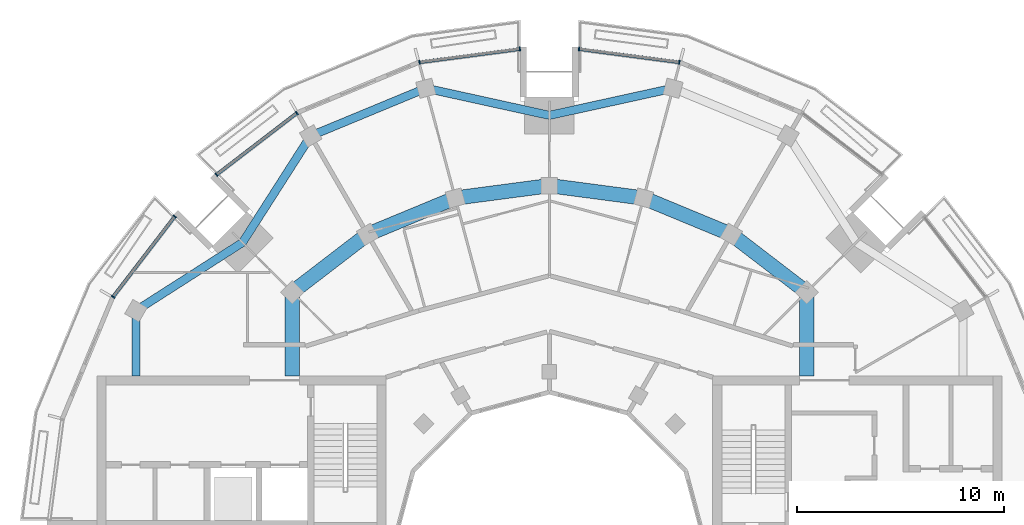
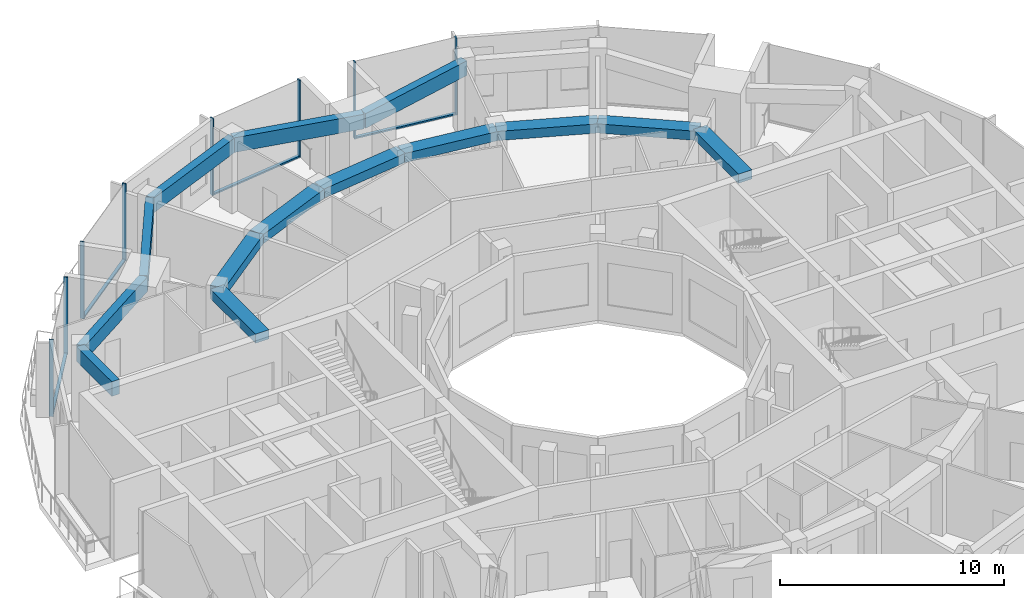
# One storey, part 5 of 17: 14 beams, 12 members, 4 elements without a shape of their own.
"""IFC4 building model written with IfcOpenShell, lengths in metres."""

from ifc_helpers import new_model, si_unit, direction, frame, origin, origin_2d, place, context, subcontext, project, spatial, rectangle, extrude, material, layer, layer_set, material_profile, profile_set, type_object, element, aggregate, save


model = new_model("IFC4")

# Units and contexts
model_context = context("Model", 3, precision=1e-05, world=origin(), true_north=direction((0.0, 1.0)))
body_context = subcontext(model_context, "Body", "Model", "MODEL_VIEW")
ifc_project = project(units=[si_unit("LENGTHUNIT", "METRE"), si_unit("AREAUNIT", "SQUARE_METRE"), si_unit("VOLUMEUNIT", "CUBIC_METRE"), si_unit("PLANEANGLEUNIT", "RADIAN"), si_unit("MASSUNIT", "GRAM", prefix="KILO")], contexts=[model_context])

# Site, building, storey
site_placement = place(None, origin())
site = spatial("IfcSite", under=ifc_project, at=site_placement, CompositionType="ELEMENT")
building_placement = place(site_placement, origin())
building = spatial("IfcBuilding", under=site, at=building_placement, Name="Torre Brocal", CompositionType="ELEMENT")
storey_placement = place(building_placement, frame((0.0, 0.0, 275.699951171875)))
storey = spatial("IfcBuildingStorey", under=building, at=storey_placement, Name="L63", CompositionType="ELEMENT", Elevation=275.699951171875)

# Curtain wall, members
ifc_material_1 = material(Name="Aluminium and glass", Category="aluminium")
ifc_layer = layer(ifc_material_1, 0.199951171875)
ifc_layer_set = layer_set([ifc_layer], Name="Aluminium and glass")
curtain_wall_type = type_object("IfcCurtainWallType", Name="CW-1 CURTAIN WALL 4200 HIGH", PredefinedType="NOTDEFINED", material=ifc_layer_set)
curtain_wall_1_placement = place(storey_placement, origin())
curtain_wall_1 = element("IfcCurtainWall", 1, at=curtain_wall_1_placement, inside=storey, type_object=curtain_wall_type, Name="CW-1 RUN 6", PredefinedType="NOTDEFINED")
ifc_material_2 = material(Name="Aluminium, dark anodised", Category="aluminium")
ifc_material_profile_1 = material_profile(ifc_material_2, rectangle(XDim=0.199951171875, YDim=0.06005859375, at=origin_2d()), Name="CW-1 MULLION 60X200")
ifc_profile_set_1 = profile_set([ifc_material_profile_1], Name="Aluminium, dark anodised")
member_type_1 = type_object("IfcMemberType", Name="CW-1 MULLION 60X200", PredefinedType="MULLION", material=ifc_profile_set_1)
member_1_placement = place(storey_placement, frame((86.28515625, 98.57177734375, 0.0), z_axis=(0.0, 0.0, 1.0), x_axis=(-0.130526192116, -0.991444861387, 0.0)))
member_1 = element("IfcMember", 2, at=member_1_placement, type_object=member_type_1, Name="CW1-5 mullion 1", PredefinedType="MULLION", context=body_context, shape_type="SweptSolid", body=[
    extrude(rectangle(XDim=0.199951171875, YDim=0.06005859375, at=origin_2d()), origin(), (0.0, 0.0, 1.0), 4.199951171875),
])
member_2_placement = place(storey_placement, frame((81.4296875, 99.2109375, 0.0), z_axis=(0.0, 0.0, 1.0), x_axis=(-0.130526192116, -0.991444861387, 0.0)))
member_2 = element("IfcMember", 3, at=member_2_placement, type_object=member_type_1, Name="CW1-5 mullion 2", PredefinedType="MULLION", context=body_context, shape_type="SweptSolid", body=[
    extrude(rectangle(XDim=0.199951171875, YDim=0.06005859375, at=origin_2d()), origin(), (0.0, 0.0, 1.0), 4.199951171875),
])

curtain_wall_2_placement = place(storey_placement, origin())
curtain_wall_2 = element("IfcCurtainWall", 4, at=curtain_wall_2_placement, inside=storey, type_object=curtain_wall_type, Name="CW-1 RUN 7", PredefinedType="NOTDEFINED")
member_3_placement = place(storey_placement, frame((78.5703125, 99.2109375, 0.0), z_axis=(0.0, 0.0, 1.0), x_axis=(0.130526192116, -0.991444861387, 0.0)))
member_3 = element("IfcMember", 5, at=member_3_placement, type_object=member_type_1, Name="CW1-5 mullion 1", PredefinedType="MULLION", context=body_context, shape_type="SweptSolid", body=[
    extrude(rectangle(XDim=0.199951171875, YDim=0.06005859375, at=origin_2d()), origin(), (0.0, 0.0, 1.0), 4.199951171875),
])
member_4_placement = place(storey_placement, frame((73.71484375, 98.57177734375, 0.0), z_axis=(0.0, 0.0, 1.0), x_axis=(0.130526192116, -0.991444861387, 0.0)))
member_4 = element("IfcMember", 6, at=member_4_placement, type_object=member_type_1, Name="CW1-5 mullion 2", PredefinedType="MULLION", context=body_context, shape_type="SweptSolid", body=[
    extrude(rectangle(XDim=0.199951171875, YDim=0.06005859375, at=origin_2d()), origin(), (0.0, 0.0, 1.0), 4.199951171875),
])

curtain_wall_3_placement = place(storey_placement, origin())
curtain_wall_3 = element("IfcCurtainWall", 7, at=curtain_wall_3_placement, inside=storey, type_object=curtain_wall_type, Name="CW-1 RUN 9", PredefinedType="NOTDEFINED")
member_5_placement = place(storey_placement, frame((67.776611328125, 96.112060546875, 0.0), z_axis=(0.0, 0.0, 1.0), x_axis=(0.608761428939, -0.793353340344, 0.0)))
member_5 = element("IfcMember", 8, at=member_5_placement, type_object=member_type_1, Name="CW1-5 mullion 1", PredefinedType="MULLION", context=body_context, shape_type="SweptSolid", body=[
    extrude(rectangle(XDim=0.199951171875, YDim=0.06005859375, at=origin_2d()), origin(), (0.0, 0.0, 1.0), 4.199951171875),
])
member_6_placement = place(storey_placement, frame((63.891357421875, 93.130615234375, 0.0), z_axis=(0.0, 0.0, 1.0), x_axis=(0.608761428939, -0.793353340344, 0.0)))
member_6 = element("IfcMember", 9, at=member_6_placement, type_object=member_type_1, Name="CW1-5 mullion 2", PredefinedType="MULLION", context=body_context, shape_type="SweptSolid", body=[
    extrude(rectangle(XDim=0.199951171875, YDim=0.06005859375, at=origin_2d()), origin(), (0.0, 0.0, 1.0), 4.199951171875),
])

curtain_wall_4_placement = place(storey_placement, origin())
curtain_wall_4 = element("IfcCurtainWall", 10, at=curtain_wall_4_placement, inside=storey, type_object=curtain_wall_type, Name="CW-1 RUN 10", PredefinedType="NOTDEFINED")
member_7_placement = place(storey_placement, frame((61.869384765625, 91.108642578125, 0.0), z_axis=(0.0, 0.0, 1.0), x_axis=(0.793353340344, -0.608761428939, 0.0)))
member_7 = element("IfcMember", 11, at=member_7_placement, type_object=member_type_1, Name="CW1-5 mullion 1", PredefinedType="MULLION", context=body_context, shape_type="SweptSolid", body=[
    extrude(rectangle(XDim=0.199951171875, YDim=0.06005859375, at=origin_2d()), origin(), (0.0, 0.0, 1.0), 4.199951171875),
])
member_8_placement = place(storey_placement, frame((58.887939453125, 87.223388671875, 0.0), z_axis=(0.0, 0.0, 1.0), x_axis=(0.793353340344, -0.608761428939, 0.0)))
member_8 = element("IfcMember", 12, at=member_8_placement, type_object=member_type_1, Name="CW1-5 mullion 2", PredefinedType="MULLION", context=body_context, shape_type="SweptSolid", body=[
    extrude(rectangle(XDim=0.199951171875, YDim=0.06005859375, at=origin_2d()), origin(), (0.0, 0.0, 1.0), 4.199951171875),
])

# Member
ifc_material_3 = material(Name="Aluminium, dark anodised", Category="aluminium")
ifc_material_profile_2 = material_profile(ifc_material_3, rectangle(XDim=0.159912109375, YDim=0.080078125, at=origin_2d()), Name="CW-1 TRANSOM 160X80")
ifc_profile_set_2 = profile_set([ifc_material_profile_2], Name="Aluminium, dark anodised")
member_type_2 = type_object("IfcMemberType", Name="CW-1 TRANSOM 160X80", PredefinedType="USERDEFINED", material=ifc_profile_set_2)
member_9_placement = place(storey_placement, frame((86.25537109375, 98.57568359375, 0.0400390625), z_axis=(-0.991446047842, 0.130517179786, 0.0), x_axis=(-0.130517179786, -0.991446047842, 0.0)))
member_9 = element("IfcMember", 13, at=member_9_placement, type_object=member_type_2, Name="CW1-5 transom 1.1", ObjectType="TRANSOM", PredefinedType="USERDEFINED", context=body_context, shape_type="SweptSolid", body=[
    extrude(rectangle(XDim=0.159912109375, YDim=0.080078125, at=origin_2d()), origin(), (0.0, 0.0, 1.0), 4.837158203125),
])

aggregate(curtain_wall_1, [member_1, member_2, member_9])

member_10_placement = place(storey_placement, frame((78.54052734375, 99.20703125, 0.0400390625), z_axis=(-0.991446047842, -0.130517179786, 0.0), x_axis=(0.130517179786, -0.991446047842, 0.0)))
member_10 = element("IfcMember", 14, at=member_10_placement, type_object=member_type_2, Name="CW1-5 transom 1.1", ObjectType="TRANSOM", PredefinedType="USERDEFINED", context=body_context, shape_type="SweptSolid", body=[
    extrude(rectangle(XDim=0.159912109375, YDim=0.080078125, at=origin_2d()), origin(), (0.0, 0.0, 1.0), 4.837158203125),
])

aggregate(curtain_wall_2, [member_3, member_4, member_10])

member_11_placement = place(storey_placement, frame((67.7529296875, 96.09375, 0.0400390625), z_axis=(-0.793362608569, -0.608749350163, 0.0), x_axis=(0.608749350163, -0.793362608569, 0.0)))
member_11 = element("IfcMember", 15, at=member_11_placement, type_object=member_type_2, Name="CW1-5 transom 1.1", ObjectType="TRANSOM", PredefinedType="USERDEFINED", context=body_context, shape_type="SweptSolid", body=[
    extrude(rectangle(XDim=0.159912109375, YDim=0.080078125, at=origin_2d()), origin(), (0.0, 0.0, 1.0), 4.83740234375),
])

aggregate(curtain_wall_3, [member_5, member_6, member_11])

member_12_placement = place(storey_placement, frame((61.85107421875, 91.0849609375, 0.0400390625), z_axis=(-0.608749350163, -0.793362608569, 0.0), x_axis=(0.793362608569, -0.608749350163, 0.0)))
member_12 = element("IfcMember", 16, at=member_12_placement, type_object=member_type_2, Name="CW1-5 transom 1.1", ObjectType="TRANSOM", PredefinedType="USERDEFINED", context=body_context, shape_type="SweptSolid", body=[
    extrude(rectangle(XDim=0.159912109375, YDim=0.080078125, at=origin_2d()), origin(), (0.0, 0.0, 1.0), 4.83740234375),
])

aggregate(curtain_wall_4, [member_7, member_8, member_12])

# Beams
ifc_material_4 = material(Name="Concrete C50", Category="concrete")
ifc_material_profile_3 = material_profile(ifc_material_4, rectangle(XDim=0.699951171875, YDim=0.5, at=origin_2d()), Name="RC 700X500")
ifc_profile_set_3 = profile_set([ifc_material_profile_3], Name="Concrete C50")
beam_type_1 = type_object("IfcBeamType", Name="RC BEAM 700X500 C50 TOP 3880", PredefinedType="BEAM", material=ifc_profile_set_3)
beam_1_placement = place(storey_placement, frame((92.445068359375, 87.445068359375, 3.630126953125), z_axis=(-0.793358265959, 0.6087550097, 0.0), x_axis=(-0.6087550097, -0.793358265959, 0.0)))
element("IfcBeam", 17, at=beam_1_placement, inside=storey, type_object=beam_type_1, Name="Beam BT-37", PredefinedType="BEAM", context=body_context, shape_type="SweptSolid", body=[
    extrude(rectangle(XDim=0.699951171875, YDim=0.5, at=origin_2d()), origin(), (0.0, 0.0, 1.0), 4.594482421875),
])
beam_2_placement = place(storey_placement, frame((88.800048828125, 90.241943359375, 3.630126953125), z_axis=(-0.923878240166, 0.382686552348, 0.0), x_axis=(-0.382686552348, -0.923878240166, 0.0)))
element("IfcBeam", 18, at=beam_2_placement, inside=storey, type_object=beam_type_1, Name="Beam BT-37", PredefinedType="BEAM", context=body_context, shape_type="SweptSolid", body=[
    extrude(rectangle(XDim=0.699951171875, YDim=0.5, at=origin_2d()), origin(), (0.0, 0.0, 1.0), 4.5947265625),
])
for number, where, z_axis, x_axis, name in (
    (19, (84.55517578125, 92.000244140625, 3.630126953125), (-0.991440544449, 0.130558978332, 0.0), (-0.130558978332, -0.991440544449, 0.0), "Beam BT-37"),
    (20, (80.0, 92.60009765625, 3.630126953125), (-0.991440544449, -0.130558978332, 0.0), (0.130558978332, -0.991440544449, 0.0), "Beam BT-37"),
):
    element("IfcBeam", number, at=place(storey_placement, frame(where, z_axis=z_axis, x_axis=x_axis)), inside=storey, type_object=beam_type_1, Name=name, PredefinedType="BEAM", context=body_context, shape_type="SweptSolid", body=[
        extrude(rectangle(XDim=0.699951171875, YDim=0.5, at=origin_2d()), origin(), (0.0, 0.0, 1.0), 4.594482421875),
    ])
beam_3_placement = place(storey_placement, frame((75.44482421875, 92.000244140625, 3.630126953125), z_axis=(-0.923878240166, -0.382686552348, 0.0), x_axis=(0.382686552348, -0.923878240166, 0.0)))
element("IfcBeam", 21, at=beam_3_placement, inside=storey, type_object=beam_type_1, Name="Beam BT-37", PredefinedType="BEAM", context=body_context, shape_type="SweptSolid", body=[
    extrude(rectangle(XDim=0.699951171875, YDim=0.5, at=origin_2d()), origin(), (0.0, 0.0, 1.0), 4.5947265625),
])
beam_4_placement = place(storey_placement, frame((71.199951171875, 90.241943359375, 3.630126953125), z_axis=(-0.793358265959, -0.6087550097, 0.0), x_axis=(0.6087550097, -0.793358265959, 0.0)))
element("IfcBeam", 22, at=beam_4_placement, inside=storey, type_object=beam_type_1, Name="Beam BT-37", PredefinedType="BEAM", context=body_context, shape_type="SweptSolid", body=[
    extrude(rectangle(XDim=0.699951171875, YDim=0.5, at=origin_2d()), origin(), (0.0, 0.0, 1.0), 4.594482421875),
])
for number, where, z_axis, x_axis, name in (
    (23, (67.554931640625, 87.445068359375, 3.630126953125), (0.0, -1.0, 0.0), (1.0, 0.0, 0.0), "Beam BT-37"),
    (24, (92.445068359375, 87.445068359375, 3.630126953125), (0.0, -1.0, 0.0), (1.0, 0.0, 0.0), "Beam BT-37"),
):
    element("IfcBeam", number, at=place(storey_placement, frame(where, z_axis=z_axis, x_axis=x_axis)), inside=storey, type_object=beam_type_1, Name=name, PredefinedType="BEAM", context=body_context, shape_type="SweptSolid", body=[
        extrude(rectangle(XDim=0.699951171875, YDim=0.5, at=origin_2d()), origin(), (0.0, 0.0, 1.0), 4.045166015625),
    ])
ifc_material_5 = material(Name="Concrete C50", Category="concrete")
ifc_material_profile_4 = material_profile(ifc_material_5, rectangle(XDim=0.39990234375, YDim=0.800048828125, at=origin_2d()), Name="RC 400X800")
ifc_profile_set_4 = profile_set([ifc_material_profile_4], Name="Concrete C50")
beam_type_2 = type_object("IfcBeamType", Name="RC SPANDREL BEAM 400X800 C50 TOP 3880", PredefinedType="SPANDREL", material=ifc_profile_set_4)
for number, where, z_axis, x_axis, name in (
    (25, (85.978759765625, 97.31298828125, 3.47998046875), (-0.976724578001, -0.214497316366, 0.0), (0.214497316366, -0.976724578001, 0.0), "Beam BT-47"),
    (26, (80.0, 96.0, 3.47998046875), (-0.976724578001, 0.214497316366, 0.0), (-0.214497316366, -0.976724578001, 0.0), "Beam BT-47"),
):
    element("IfcBeam", number, at=place(storey_placement, frame(where, z_axis=z_axis, x_axis=x_axis)), inside=storey, type_object=beam_type_2, Name=name, PredefinedType="SPANDREL", context=body_context, shape_type="SweptSolid", body=[
        extrude(rectangle(XDim=0.39990234375, YDim=0.800048828125, at=origin_2d()), origin(), (0.0, 0.0, 1.0), 6.121337890625),
    ])
beam_5_placement = place(storey_placement, frame((74.021240234375, 97.31298828125, 3.47998046875), z_axis=(-0.923870278372, -0.38270577307, 0.0), x_axis=(0.38270577307, -0.923870278372, 0.0)))
element("IfcBeam", 27, at=beam_5_placement, inside=storey, type_object=beam_type_2, Name="Beam BT-47", PredefinedType="SPANDREL", context=body_context, shape_type="SweptSolid", body=[
    extrude(rectangle(XDim=0.39990234375, YDim=0.800048828125, at=origin_2d()), origin(), (0.0, 0.0, 1.0), 6.0302734375),
])
for number, where, z_axis, x_axis, name in (
    (28, (68.449951171875, 95.005126953125, 3.47998046875), (-0.538964280647, -0.842328620069, 0.0), (0.842328620069, -0.538964280647, 0.0), "Beam BT-47"),
    (29, (65.15087890625, 89.84912109375, 3.47998046875), (-0.842328620069, -0.538964280647, 0.0), (0.538964280647, -0.842328620069, 0.0), "Beam BT-47"),
):
    element("IfcBeam", number, at=place(storey_placement, frame(where, z_axis=z_axis, x_axis=x_axis)), inside=storey, type_object=beam_type_2, Name=name, PredefinedType="SPANDREL", context=body_context, shape_type="SweptSolid", body=[
        extrude(rectangle(XDim=0.39990234375, YDim=0.800048828125, at=origin_2d()), origin(), (0.0, 0.0, 1.0), 6.12109375),
    ])
beam_6_placement = place(storey_placement, frame((59.994873046875, 86.550048828125, 3.47998046875), z_axis=(0.0, -1.0, 0.0), x_axis=(1.0, 0.0, 0.0)))
element("IfcBeam", 30, at=beam_6_placement, inside=storey, type_object=beam_type_2, Name="Beam BT-47", PredefinedType="SPANDREL", context=body_context, shape_type="SweptSolid", body=[
    extrude(rectangle(XDim=0.39990234375, YDim=0.800048828125, at=origin_2d()), origin(), (0.0, 0.0, 1.0), 3.150146484375),
])

save(model, "model.ifc")
